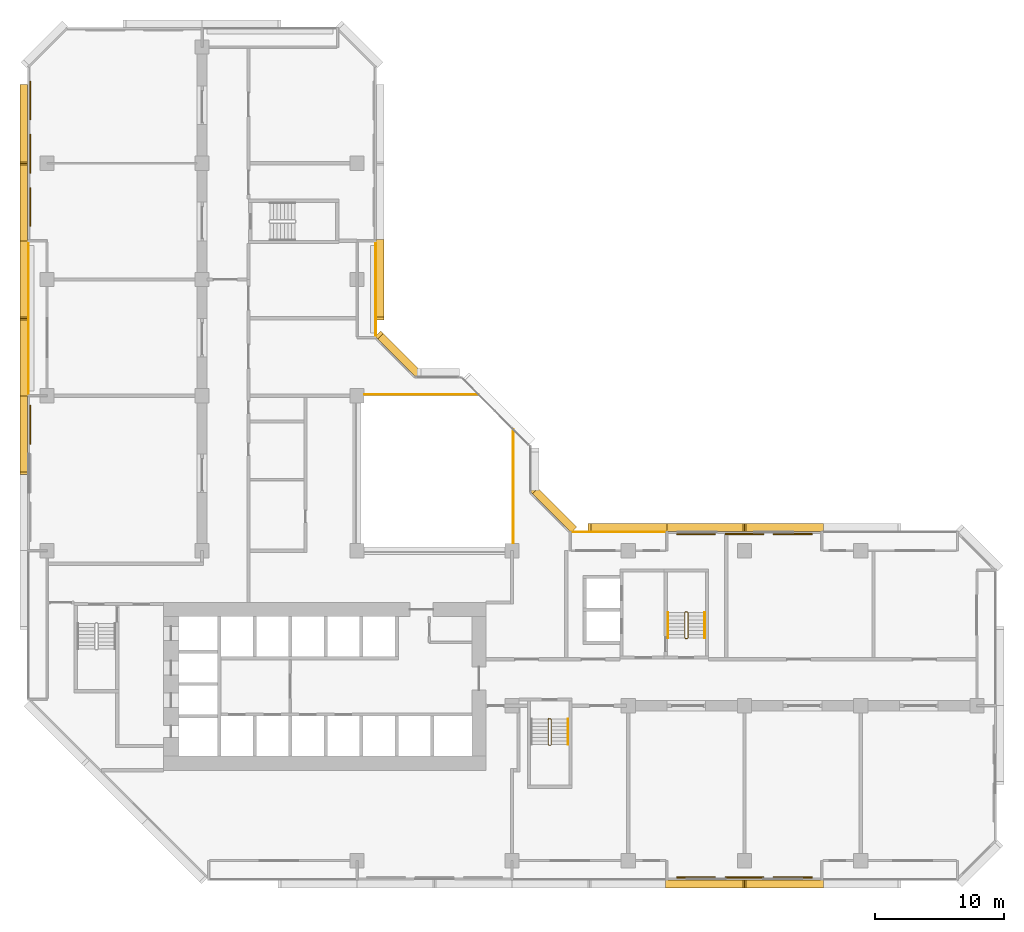
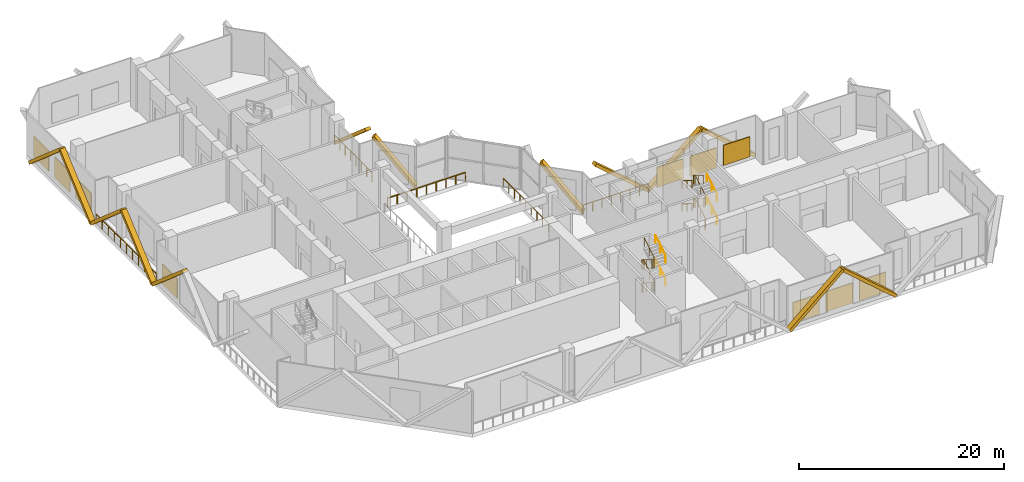
# One storey, part 13 of 14: 13 coverings, 13 railings, 10 shading devices.
"""IFC4 building model written with IfcOpenShell, lengths in metres."""

import ifcopenshell
import ifcopenshell.guid

model = None  # the IFC model being written
_history = None  # IfcOwnerHistory: only IFC2X3 demands one
_inside = {}  # id of a spatial element -> (the spatial element, [elements in it])
_under = {}  # id of a project, library or spatial element -> (it, [spatial elements below it])
_declared = {}  # id of a project -> (the project, [libraries it declares])
_typed = {}  # id of a type object -> (the type object, [elements of that type])
_made_of = {}  # id of a material, layer set ... -> (it, [elements and type objects made of it])


def new_model(schema):
    """Start an empty IFC model of exactly this schema.

    Asked for "IFC4X3", IfcOpenShell would pick the latest addendum, in which some entities
    have other attributes; the version numbers below select the first issue.
    IFC2X3 requires an IfcOwnerHistory on every rooted entity: one is made here for all.
    """
    global model, _history
    if schema == "IFC4X3":
        model = ifcopenshell.file(schema_version=(4, 3, 0, 0))
    else:
        model = ifcopenshell.file(schema=schema)
    _inside.clear()
    _under.clear()
    _declared.clear()
    _typed.clear()
    _made_of.clear()
    _history = None
    if model.schema == "IFC2X3":
        org = make("IfcOrganization", Name="unknown")
        user = make(
            "IfcPersonAndOrganization",
            ThePerson=make("IfcPerson", FamilyName="unknown"),
            TheOrganization=org,
        )
        app = make(
            "IfcApplication",
            ApplicationDeveloper=org,
            Version="unknown",
            ApplicationFullName="unknown",
            ApplicationIdentifier="unknown",
        )
        _history = make(
            "IfcOwnerHistory",
            OwningUser=user,
            OwningApplication=app,
            ChangeAction="ADDED",
            CreationDate=0,
        )
    return model


def make(cls, **values):
    """One entity of the class cls with the attributes given. An attribute that is None is left unset."""
    return model.create_entity(
        cls, **{name: value for name, value in values.items() if value is not None}
    )


def rooted(cls, **values):
    """An entity with a GlobalId (a new one), such as an element, a storey or a relation."""
    return make(cls, GlobalId=ifcopenshell.guid.new(), OwnerHistory=_history, **values)


def si_unit(unit_type, name, prefix=None):
    """IfcSIUnit, for example si_unit("LENGTHUNIT", "METRE", prefix="MILLI")."""
    return make("IfcSIUnit", UnitType=unit_type, Prefix=prefix, Name=name)


def assignment(units):
    """IfcUnitAssignment: the units of a project."""
    return None if units is None else make("IfcUnitAssignment", Units=units)


def point(xyz):
    """IfcCartesianPoint."""
    return None if xyz is None else make("IfcCartesianPoint", Coordinates=xyz)


def direction(xyz):
    """IfcDirection."""
    return None if xyz is None else make("IfcDirection", DirectionRatios=xyz)


def frame(location, z_axis=None, x_axis=None):
    """IfcAxis2Placement3D, a coordinate frame: its origin and axes. An axis left out is left unset."""
    return make(
        "IfcAxis2Placement3D",
        Location=point(location),
        Axis=direction(z_axis),
        RefDirection=direction(x_axis),
    )


def frame_2d(location, x_axis=None):
    """IfcAxis2Placement2D, a coordinate frame in the plane: its origin and x axis."""
    return make(
        "IfcAxis2Placement2D", Location=point(location), RefDirection=direction(x_axis)
    )


def origin():
    """The frame at (0, 0, 0) with its axes left unset."""
    return frame((0.0, 0.0, 0.0))


def origin_2d():
    """The frame at (0, 0) in the plane with its x axis left unset."""
    return frame_2d((0.0, 0.0))


def place(relative_to, where):
    """IfcLocalPlacement: puts the frame where relative to a parent placement (None: the world)."""
    return make(
        "IfcLocalPlacement", PlacementRelTo=relative_to, RelativePlacement=where
    )


def context(
    kind, dimensions, precision=None, world=None, true_north=None, identifier=None
):
    """IfcGeometricRepresentationContext, for example the 3D "Model" context."""
    return make(
        "IfcGeometricRepresentationContext",
        ContextIdentifier=identifier,
        ContextType=kind,
        CoordinateSpaceDimension=dimensions,
        Precision=precision,
        WorldCoordinateSystem=world,
        TrueNorth=true_north,
    )


def subcontext(parent, identifier, kind, view, scale=None):
    """IfcGeometricRepresentationSubContext, for example "Body" below "Model"."""
    return make(
        "IfcGeometricRepresentationSubContext",
        ContextIdentifier=identifier,
        ContextType=kind,
        ParentContext=parent,
        TargetScale=scale,
        TargetView=view,
    )


def project(units=None, contexts=None):
    """IfcProject with its units and contexts."""
    return rooted(
        "IfcProject",
        Name="project",
        RepresentationContexts=contexts,
        UnitsInContext=assignment(units),
    )


def spatial(cls, under=None, at=None, **own):
    """A site, building, storey or space (cls), placed at a placement, below another one or the project."""
    s = rooted(cls, ObjectPlacement=at, **own)
    if under is not None:
        _under.setdefault(under.id(), (under, []))[1].append(s)
    return s


def profile(cls, at=None, kind="AREA", **sizes):
    """A parametric profile (cls). Its sizes go by their IFC names, for example OverallWidth=200.0."""
    return make(cls, ProfileType=kind, Position=at, **sizes)


def rectangle(**sizes):
    """IfcRectangleProfileDef."""
    return profile("IfcRectangleProfileDef", **sizes)


def extrude(swept, where, along, depth):
    """IfcExtrudedAreaSolid: the profile swept, set in the frame where, extruded along a direction by depth."""
    return make(
        "IfcExtrudedAreaSolid",
        SweptArea=swept,
        Position=where,
        ExtrudedDirection=direction(along),
        Depth=depth,
    )


def shape(context_of_items, identifier, shape_type, items):
    """IfcShapeRepresentation: the items that make up one representation, for example the "Body"."""
    return make(
        "IfcShapeRepresentation",
        ContextOfItems=context_of_items,
        RepresentationIdentifier=identifier,
        RepresentationType=shape_type,
        Items=items,
    )


def material(Name=None, Category=None):
    """IfcMaterial."""
    return make("IfcMaterial", Name=Name, Category=Category)


def material_profile(
    of_material, cross_section, Name=None, Category=None, Priority=None
):
    """IfcMaterialProfile: a cross section and its material."""
    return make(
        "IfcMaterialProfile",
        Name=Name,
        Material=of_material,
        Profile=cross_section,
        Priority=Priority,
        Category=Category,
    )


def profile_set(profiles, Name=None, composite=None):
    """IfcMaterialProfileSet."""
    return make(
        "IfcMaterialProfileSet",
        Name=Name,
        MaterialProfiles=profiles,
        CompositeProfile=composite,
    )


def made_of(thing, what):
    """Note that an element or type object is made of a material, layer set ...; save() writes the relation."""
    if what is not None:
        _made_of.setdefault(what.id(), (what, []))[1].append(thing)
    return thing


def type_object(cls, material=None, **own):
    """A type object (cls), such as IfcWallType, which elements share."""
    return made_of(rooted(cls, **own), material)


def element(
    cls,
    number,
    at=None,
    inside=None,
    cuts=None,
    type_object=None,
    material=None,
    context=None,
    identifier="Body",
    shape_type=None,
    held_by="IfcProductDefinitionShape",
    body=None,
    shapes=None,
    **own,
):
    """One element of the class cls, such as IfcWall. Its Tag is "e" and its number.

    at: its placement. inside: the storey or other place that contains it. cuts: it is an
    opening in that element (IfcRelVoidsElement). A single representation is given by context,
    identifier, shape_type and body (its items); several are given by shapes. held_by: the class
    of the entity that holds the representations. save() writes the other relations.
    """
    e = rooted(cls, Tag="e%d" % number, ObjectPlacement=at, **own)
    if body is not None:
        shapes = [shape(context, identifier, shape_type, body)]
    if shapes is not None:
        e.Representation = make(held_by, Representations=shapes)
    if inside is not None:
        _inside.setdefault(inside.id(), (inside, []))[1].append(e)
    if cuts is not None:
        rooted(
            "IfcRelVoidsElement", RelatingBuildingElement=cuts, RelatedOpeningElement=e
        )
    if type_object is not None:
        _typed.setdefault(type_object.id(), (type_object, []))[1].append(e)
    return made_of(e, material)


def aggregate(whole, parts):
    """IfcRelAggregates: a whole, such as a stair, and the parts it consists of."""
    return rooted("IfcRelAggregates", RelatingObject=whole, RelatedObjects=parts)


def save(model, path):
    """Write the relations noted so far, then the file.

    IfcRelAggregates (storeys below a building ...), IfcRelContainedInSpatialStructure (elements
    in a storey), IfcRelDefinesByType, IfcRelAssociatesMaterial and IfcRelDeclares: one each for
    every whole, place, type object, material and project.
    """
    for whole, parts in _under.values():
        aggregate(whole, parts)
    for where, things in _inside.values():
        rooted(
            "IfcRelContainedInSpatialStructure",
            RelatedElements=things,
            RelatingStructure=where,
        )
    for kind, things in _typed.values():
        rooted("IfcRelDefinesByType", RelatedObjects=things, RelatingType=kind)
    for what, things in _made_of.values():
        rooted("IfcRelAssociatesMaterial", RelatedObjects=things, RelatingMaterial=what)
    for by, libraries in _declared.values():
        rooted("IfcRelDeclares", RelatingContext=by, RelatedDefinitions=libraries)
    model.write(path)


model = new_model("IFC4")

# Units and contexts
model_context = context("Model", 3, precision=1e-05, world=origin(), true_north=direction((0.0, 1.0)))
body_context = subcontext(model_context, "Body", "Model", "MODEL_VIEW")
ifc_project = project(units=[si_unit("LENGTHUNIT", "METRE"), si_unit("AREAUNIT", "SQUARE_METRE"), si_unit("VOLUMEUNIT", "CUBIC_METRE"), si_unit("PLANEANGLEUNIT", "RADIAN"), si_unit("MASSUNIT", "GRAM", prefix="KILO")], contexts=[model_context])

# Site, building, storey
site_placement = place(None, origin())
site = spatial("IfcSite", under=ifc_project, at=site_placement, CompositionType="ELEMENT")
building_placement = place(site_placement, origin())
building = spatial("IfcBuilding", under=site, at=building_placement, Name="Chenar Terraces", CompositionType="ELEMENT")
storey_placement = place(building_placement, frame((0.0, 0.0, 86.39990234375)))
storey = spatial("IfcBuildingStorey", under=building, at=storey_placement, Name="L19", CompositionType="ELEMENT", Elevation=86.39990234375)

# Railings
ifc_material_1 = material(Name="Powder-coated steel", Category="steel")
railing_type_1 = type_object("IfcRailingType", Name="Guard 1100 steel rail with glass infill", PredefinedType="GUARDRAIL", material=ifc_material_1)
railing_1_placement = place(storey_placement, frame((24.60009765625, 36.10009765625, 0.0)))
element("IfcRailing", 1, at=railing_1_placement, inside=storey, type_object=railing_type_1, Name="Guard L19-2", PredefinedType="GUARDRAIL", context=body_context, shape_type="SweptSolid", body=[
    extrude(rectangle(XDim=0.06005859375, YDim=0.06005859375, at=origin_2d()), frame((0.0, 0.0, 1.070068359375), z_axis=(1.0, 0.0, 0.0), x_axis=(0.0, 1.0, 0.0)), (0.0, 0.0, 1.0), 8.7998046875),
    extrude(rectangle(XDim=0.050048828125, YDim=0.050048828125, at=origin_2d()), origin(), (0.0, 0.0, 1.0), 1.0400390625),
    extrude(rectangle(XDim=0.050048828125, YDim=0.050048828125, at=origin_2d()), frame((1.10009765625, 0.0, 0.0)), (0.0, 0.0, 1.0), 1.0400390625),
    extrude(rectangle(XDim=0.050048828125, YDim=0.050048828125, at=origin_2d()), frame((2.199951171875, 0.0, 0.0)), (0.0, 0.0, 1.0), 1.0400390625),
    extrude(rectangle(XDim=0.050048828125, YDim=0.050048828125, at=origin_2d()), frame((3.2998046875, 0.0, 0.0)), (0.0, 0.0, 1.0), 1.0400390625),
    extrude(rectangle(XDim=0.050048828125, YDim=0.050048828125, at=origin_2d()), frame((4.39990234375, 0.0, 0.0)), (0.0, 0.0, 1.0), 1.0400390625),
    extrude(rectangle(XDim=0.050048828125, YDim=0.050048828125, at=origin_2d()), frame((5.5, 0.0, 0.0)), (0.0, 0.0, 1.0), 1.0400390625),
    extrude(rectangle(XDim=0.050048828125, YDim=0.050048828125, at=origin_2d()), frame((6.599853515625, 0.0, 0.0)), (0.0, 0.0, 1.0), 1.0400390625),
    extrude(rectangle(XDim=0.050048828125, YDim=0.050048828125, at=origin_2d()), frame((7.69970703125, 0.0, 0.0)), (0.0, 0.0, 1.0), 1.0400390625),
    extrude(rectangle(XDim=0.050048828125, YDim=0.050048828125, at=origin_2d()), frame((8.7998046875, 0.0, 0.0)), (0.0, 0.0, 1.0), 1.0400390625),
])
railing_2_placement = place(storey_placement, frame((36.10009765625, 24.60009765625, 0.0)))
element("IfcRailing", 2, at=railing_2_placement, inside=storey, type_object=railing_type_1, Name="Guard L19-3", PredefinedType="GUARDRAIL", context=body_context, shape_type="SweptSolid", body=[
    extrude(rectangle(XDim=0.06005859375, YDim=0.06005859375, at=origin_2d()), frame((0.0, 0.0, 1.070068359375), z_axis=(0.0, 1.0, 0.0), x_axis=(-1.0, 0.0, 0.0)), (0.0, 0.0, 1.0), 8.7998046875),
    extrude(rectangle(XDim=0.050048828125, YDim=0.050048828125, at=origin_2d()), origin(), (0.0, 0.0, 1.0), 1.0400390625),
    extrude(rectangle(XDim=0.050048828125, YDim=0.050048828125, at=origin_2d()), frame((0.0, 1.10009765625, 0.0)), (0.0, 0.0, 1.0), 1.0400390625),
    extrude(rectangle(XDim=0.050048828125, YDim=0.050048828125, at=origin_2d()), frame((0.0, 2.199951171875, 0.0)), (0.0, 0.0, 1.0), 1.0400390625),
    extrude(rectangle(XDim=0.050048828125, YDim=0.050048828125, at=origin_2d()), frame((0.0, 3.2998046875, 0.0)), (0.0, 0.0, 1.0), 1.0400390625),
    extrude(rectangle(XDim=0.050048828125, YDim=0.050048828125, at=origin_2d()), frame((0.0, 4.39990234375, 0.0)), (0.0, 0.0, 1.0), 1.0400390625),
    extrude(rectangle(XDim=0.050048828125, YDim=0.050048828125, at=origin_2d()), frame((0.0, 5.5, 0.0)), (0.0, 0.0, 1.0), 1.0400390625),
    extrude(rectangle(XDim=0.050048828125, YDim=0.050048828125, at=origin_2d()), frame((0.0, 6.599853515625, 0.0)), (0.0, 0.0, 1.0), 1.0400390625),
    extrude(rectangle(XDim=0.050048828125, YDim=0.050048828125, at=origin_2d()), frame((0.0, 7.69970703125, 0.0)), (0.0, 0.0, 1.0), 1.0400390625),
    extrude(rectangle(XDim=0.050048828125, YDim=0.050048828125, at=origin_2d()), frame((0.0, 8.7998046875, 0.0)), (0.0, 0.0, 1.0), 1.0400390625),
])
ifc_material_2 = material(Name="Stainless steel and glass", Category="steel")
railing_type_2 = type_object("IfcRailingType", Name="Loggia guard 1150", PredefinedType="GUARDRAIL", material=ifc_material_2)
railing_3_placement = place(storey_placement, frame((25.449951171875, 40.574951171875, 0.0)))
element("IfcRailing", 3, at=railing_3_placement, inside=storey, type_object=railing_type_2, Name="Loggia guard", PredefinedType="GUARDRAIL", context=body_context, shape_type="SweptSolid", body=[
    extrude(rectangle(XDim=0.048095703125, YDim=0.048095703125, at=origin_2d()), frame((0.0, 0.0, 1.1259765625), z_axis=(0.0, 1.0, 0.0), x_axis=(-1.0, 0.0, 0.0)), (0.0, 0.0, 1.0), 7.35009765625),
    extrude(rectangle(XDim=0.0419921875, YDim=0.0419921875, at=origin_2d()), origin(), (0.0, 0.0, 1.0), 1.101806640625),
    extrude(rectangle(XDim=0.0419921875, YDim=0.0419921875, at=origin_2d()), frame((0.0, 1.050048828125, 0.0)), (0.0, 0.0, 1.0), 1.101806640625),
    extrude(rectangle(XDim=0.0419921875, YDim=0.0419921875, at=origin_2d()), frame((0.0, 2.10009765625, 0.0)), (0.0, 0.0, 1.0), 1.101806640625),
    extrude(rectangle(XDim=0.0419921875, YDim=0.0419921875, at=origin_2d()), frame((0.0, 3.150146484375, 0.0)), (0.0, 0.0, 1.0), 1.101806640625),
    extrude(rectangle(XDim=0.0419921875, YDim=0.0419921875, at=origin_2d()), frame((0.0, 4.199951171875, 0.0)), (0.0, 0.0, 1.0), 1.101806640625),
    extrude(rectangle(XDim=0.0419921875, YDim=0.0419921875, at=origin_2d()), frame((0.0, 5.25, 0.0)), (0.0, 0.0, 1.0), 1.101806640625),
    extrude(rectangle(XDim=0.0419921875, YDim=0.0419921875, at=origin_2d()), frame((0.0, 6.300048828125, 0.0)), (0.0, 0.0, 1.0), 1.101806640625),
    extrude(rectangle(XDim=0.0419921875, YDim=0.0419921875, at=origin_2d()), frame((0.0, 7.35009765625, 0.0)), (0.0, 0.0, 1.0), 1.101806640625),
])
railing_4_placement = place(storey_placement, frame((47.925048828125, 25.449951171875, 0.0)))
element("IfcRailing", 4, at=railing_4_placement, inside=storey, type_object=railing_type_2, Name="Loggia guard", PredefinedType="GUARDRAIL", context=body_context, shape_type="SweptSolid", body=[
    extrude(rectangle(XDim=0.048095703125, YDim=0.048095703125, at=origin_2d()), frame((0.0, 0.0, 1.1259765625), z_axis=(-1.0, 0.0, 0.0), x_axis=(0.0, -1.0, 0.0)), (0.0, 0.0, 1.0), 7.35009765625),
    extrude(rectangle(XDim=0.0419921875, YDim=0.0419921875, at=origin_2d()), origin(), (0.0, 0.0, 1.0), 1.101806640625),
    extrude(rectangle(XDim=0.0419921875, YDim=0.0419921875, at=origin_2d()), frame((-1.050048828125, 0.0, 0.0)), (0.0, 0.0, 1.0), 1.101806640625),
    extrude(rectangle(XDim=0.0419921875, YDim=0.0419921875, at=origin_2d()), frame((-2.10009765625, 0.0, 0.0)), (0.0, 0.0, 1.0), 1.101806640625),
    extrude(rectangle(XDim=0.0419921875, YDim=0.0419921875, at=origin_2d()), frame((-3.150146484375, 0.0, 0.0)), (0.0, 0.0, 1.0), 1.101806640625),
    extrude(rectangle(XDim=0.0419921875, YDim=0.0419921875, at=origin_2d()), frame((-4.199951171875, 0.0, 0.0)), (0.0, 0.0, 1.0), 1.101806640625),
    extrude(rectangle(XDim=0.0419921875, YDim=0.0419921875, at=origin_2d()), frame((-5.25, 0.0, 0.0)), (0.0, 0.0, 1.0), 1.101806640625),
    extrude(rectangle(XDim=0.0419921875, YDim=0.0419921875, at=origin_2d()), frame((-6.300048828125, 0.0, 0.0)), (0.0, 0.0, 1.0), 1.101806640625),
    extrude(rectangle(XDim=0.0419921875, YDim=0.0419921875, at=origin_2d()), frame((-7.35009765625, 0.0, 0.0)), (0.0, 0.0, 1.0), 1.101806640625),
])
railing_5_placement = place(storey_placement, frame((-1.449951171875, 47.925048828125, 0.0)))
element("IfcRailing", 5, at=railing_5_placement, inside=storey, type_object=railing_type_2, Name="Loggia guard", PredefinedType="GUARDRAIL", context=body_context, shape_type="SweptSolid", body=[
    extrude(rectangle(XDim=0.048095703125, YDim=0.048095703125, at=origin_2d()), frame((0.0, 0.0, 1.1259765625), z_axis=(0.0, -1.0, 0.0), x_axis=(1.0, 0.0, 0.0)), (0.0, 0.0, 1.0), 11.85009765625),
    extrude(rectangle(XDim=0.0419921875, YDim=0.0419921875, at=origin_2d()), origin(), (0.0, 0.0, 1.0), 1.101806640625),
    extrude(rectangle(XDim=0.0419921875, YDim=0.0419921875, at=origin_2d()), frame((0.0, -1.18505859375, 0.0)), (0.0, 0.0, 1.0), 1.101806640625),
    extrude(rectangle(XDim=0.0419921875, YDim=0.0419921875, at=origin_2d()), frame((0.0, -2.3701171875, 0.0)), (0.0, 0.0, 1.0), 1.101806640625),
    extrude(rectangle(XDim=0.0419921875, YDim=0.0419921875, at=origin_2d()), frame((0.0, -3.554931640625, 0.0)), (0.0, 0.0, 1.0), 1.101806640625),
    extrude(rectangle(XDim=0.0419921875, YDim=0.0419921875, at=origin_2d()), frame((0.0, -4.739990234375, 0.0)), (0.0, 0.0, 1.0), 1.101806640625),
    extrude(rectangle(XDim=0.0419921875, YDim=0.0419921875, at=origin_2d()), frame((0.0, -5.925048828125, 0.0)), (0.0, 0.0, 1.0), 1.101806640625),
    extrude(rectangle(XDim=0.0419921875, YDim=0.0419921875, at=origin_2d()), frame((0.0, -7.110107421875, 0.0)), (0.0, 0.0, 1.0), 1.101806640625),
    extrude(rectangle(XDim=0.0419921875, YDim=0.0419921875, at=origin_2d()), frame((0.0, -8.295166015625, 0.0)), (0.0, 0.0, 1.0), 1.101806640625),
    extrude(rectangle(XDim=0.0419921875, YDim=0.0419921875, at=origin_2d()), frame((0.0, -9.47998046875, 0.0)), (0.0, 0.0, 1.0), 1.101806640625),
    extrude(rectangle(XDim=0.0419921875, YDim=0.0419921875, at=origin_2d()), frame((0.0, -10.6650390625, 0.0)), (0.0, 0.0, 1.0), 1.101806640625),
    extrude(rectangle(XDim=0.0419921875, YDim=0.0419921875, at=origin_2d()), frame((0.0, -11.85009765625, 0.0)), (0.0, 0.0, 1.0), 1.101806640625),
])

# Shading devices
ifc_material_3 = material(Name="Powder-coated steel", Category="steel")
shading_device_type = type_object("IfcShadingDeviceType", Name="Sand-proof louvre bank 3000 x 2400", PredefinedType="USERDEFINED", material=ifc_material_3)
for number, where, z_axis, x_axis, name in (
    (6, (57.75, 25.300048828125, 0.4501953125), (0.0, 0.0, 1.0), (-1.0, 0.0, 0.0), "Sand-proof louvre bank"),
    (7, (54.0, 25.300048828125, 0.4501953125), (0.0, 0.0, 1.0), (-1.0, 0.0, 0.0), "Sand-proof louvre bank"),
    (8, (50.25, 25.300048828125, 0.4501953125), (0.0, 0.0, 1.0), (-1.0, 0.0, 0.0), "Sand-proof louvre bank"),
    (9, (50.25, -1.300048828125, 0.4501953125), (0.0, 0.0, 1.0), (1.0, 0.0, 0.0), "Sand-proof louvre bank"),
    (10, (54.0, -1.300048828125, 0.4501953125), (0.0, 0.0, 1.0), (1.0, 0.0, 0.0), "Sand-proof louvre bank"),
    (11, (57.75, -1.300048828125, 0.4501953125), (0.0, 0.0, 1.0), (1.0, 0.0, 0.0), "Sand-proof louvre bank"),
    (12, (-1.300048828125, 58.875, 0.4501953125), (0.0, 0.0, 1.0), (0.0, -1.0, 0.0), "Sand-proof louvre bank"),
    (13, (-1.300048828125, 54.75, 0.4501953125), (0.0, 0.0, 1.0), (0.0, -1.0, 0.0), "Sand-proof louvre bank"),
    (14, (-1.300048828125, 50.625, 0.4501953125), (0.0, 0.0, 1.0), (0.0, -1.0, 0.0), "Sand-proof louvre bank"),
    (15, (-1.300048828125, 33.75, 0.4501953125), (0.0, 0.0, 1.0), (0.0, -1.0, 0.0), "Sand-proof louvre bank"),
):
    element("IfcShadingDevice", number, at=place(storey_placement, frame(where, z_axis=z_axis, x_axis=x_axis)), inside=storey, type_object=shading_device_type, Name=name, ObjectType="LOUVRE", PredefinedType="USERDEFINED", context=body_context, shape_type="SweptSolid", body=[
        extrude(rectangle(XDim=3.0, YDim=0.10009765625, at=origin_2d()), origin(), (0.0, 0.0, 1.0), 2.39990234375),
    ])

# Railings
ifc_material_4 = material(Name="Powder-coated steel", Category="steel")
railing_type_3 = type_object("IfcRailingType", Name="Stair guard 1100", PredefinedType="GUARDRAIL", material=ifc_material_4)
railing_6_placement = place(storey_placement, frame((39.050048828125, 10.949951171875, 5.5)))
element("IfcRailing", 16, at=railing_6_placement, inside=storey, type_object=railing_type_3, Name="L19 ST2 stair guard 1", PredefinedType="GUARDRAIL", context=body_context, shape_type="SweptSolid", body=[
    extrude(rectangle(XDim=0.048095703125, YDim=0.048095703125, at=origin_2d()), frame((0.0, 0.0, 1.076171875), z_axis=(0.0, -0.852240978134, -0.523149419562), x_axis=(1.0, 0.0, 0.0)), (0.0, 0.0, 1.0), 2.2998046875),
    extrude(rectangle(XDim=0.048095703125, YDim=0.048095703125, at=origin_2d()), frame((0.0, -1.9599609375, -0.126953125), z_axis=(-0.269255725606, -0.269255725606, -0.92466356501), x_axis=(0.707106781187, -0.707106781187, 0.0)), (0.0, 0.0, 1.0), 0.185791015625),
    extrude(rectangle(XDim=0.048095703125, YDim=0.048095703125, at=origin_2d()), frame((-0.050048828125, -2.010009765625, -0.298828125), z_axis=(-1.0, 0.0, 0.0), x_axis=(0.0, -1.0, 0.0)), (0.0, 0.0, 1.0), 0.14990234375),
    extrude(rectangle(XDim=0.048095703125, YDim=0.048095703125, at=origin_2d()), frame((-0.199951171875, -2.010009765625, -0.298828125), z_axis=(-0.707106781187, 0.707106781187, 0.0), x_axis=(-0.707106781187, -0.707106781187, 0.0)), (0.0, 0.0, 1.0), 0.07080078125),
    extrude(rectangle(XDim=0.048095703125, YDim=0.048095703125, at=origin_2d()), frame((-0.25, -1.9599609375, -0.298828125), z_axis=(0.0, 0.852240978134, -0.523149419562), x_axis=(-1.0, 0.0, 0.0)), (0.0, 0.0, 1.0), 2.2998046875),
    extrude(rectangle(XDim=0.048095703125, YDim=0.048095703125, at=origin_2d()), frame((-0.25, 0.0, -1.501953125), z_axis=(0.745037588186, 0.186486819998, -0.640423030626), x_axis=(-0.242814311512, 0.970072785993, 0.0)), (0.0, 0.0, 1.0), 0.268310546875),
    extrude(rectangle(XDim=0.048095703125, YDim=0.048095703125, at=origin_2d()), frame((-0.050048828125, 0.050048828125, -1.673828125), z_axis=(-1.0, 0.0, 0.0), x_axis=(0.0, -1.0, 0.0)), (0.0, 0.0, 1.0), 0.14990234375),
    extrude(rectangle(XDim=0.048095703125, YDim=0.048095703125, at=origin_2d()), frame((-0.199951171875, 0.050048828125, -1.673828125), z_axis=(0.970072785993, -0.242814311512, 0.0), x_axis=(0.242814311512, 0.970072785993, 0.0)), (0.0, 0.0, 1.0), 0.2060546875),
    extrude(rectangle(XDim=0.048095703125, YDim=0.048095703125, at=origin_2d()), frame((0.0, 0.0, -1.673828125), z_axis=(0.0, -0.852240978134, -0.523149419562), x_axis=(1.0, 0.0, 0.0)), (0.0, 0.0, 1.0), 2.2998046875),
    extrude(rectangle(XDim=0.048095703125, YDim=0.048095703125, at=origin_2d()), frame((0.0, -1.9599609375, -2.876953125), z_axis=(-0.269255725606, -0.269255725606, -0.92466356501), x_axis=(0.707106781187, -0.707106781187, 0.0)), (0.0, 0.0, 1.0), 0.185791015625),
    extrude(rectangle(XDim=0.048095703125, YDim=0.048095703125, at=origin_2d()), frame((-0.050048828125, -2.010009765625, -3.048828125), z_axis=(-1.0, 0.0, 0.0), x_axis=(0.0, -1.0, 0.0)), (0.0, 0.0, 1.0), 0.14990234375),
    extrude(rectangle(XDim=0.048095703125, YDim=0.048095703125, at=origin_2d()), frame((-0.199951171875, -2.010009765625, -3.048828125), z_axis=(-0.707106781187, 0.707106781187, 0.0), x_axis=(-0.707106781187, -0.707106781187, 0.0)), (0.0, 0.0, 1.0), 0.07080078125),
    extrude(rectangle(XDim=0.048095703125, YDim=0.048095703125, at=origin_2d()), frame((-0.25, -1.9599609375, -3.048828125), z_axis=(0.0, 0.852240978134, -0.523149419562), x_axis=(-1.0, 0.0, 0.0)), (0.0, 0.0, 1.0), 2.2998046875),
    extrude(rectangle(XDim=0.048095703125, YDim=0.048095703125, at=origin_2d()), frame((-0.25, 0.0, -4.251953125), z_axis=(0.269255725606, 0.269255725606, -0.92466356501), x_axis=(-0.707106781187, 0.707106781187, 0.0)), (0.0, 0.0, 1.0), 0.185791015625),
    extrude(rectangle(XDim=0.048095703125, YDim=0.048095703125, at=origin_2d()), frame((-0.199951171875, 0.050048828125, -4.423828125), z_axis=(1.0, 0.0, 0.0), x_axis=(0.0, 1.0, 0.0)), (0.0, 0.0, 1.0), 0.14990234375),
    extrude(rectangle(XDim=0.0419921875, YDim=0.0419921875, at=origin_2d()), origin(), (0.0, 0.0, 1.0), 1.052001953125),
    extrude(rectangle(XDim=0.0419921875, YDim=0.0419921875, at=origin_2d()), frame((0.0, -0.97998046875, -0.6015625)), (0.0, 0.0, 1.0), 1.052001953125),
    extrude(rectangle(XDim=0.0419921875, YDim=0.0419921875, at=origin_2d()), frame((0.0, -1.9599609375, -1.203125)), (0.0, 0.0, 1.0), 1.052001953125),
    extrude(rectangle(XDim=0.0419921875, YDim=0.0419921875, at=origin_2d()), frame((-0.050048828125, -2.010009765625, -1.375)), (0.0, 0.0, 1.0), 1.052001953125),
    extrude(rectangle(XDim=0.0419921875, YDim=0.0419921875, at=origin_2d()), frame((-0.199951171875, -2.010009765625, -1.375)), (0.0, 0.0, 1.0), 1.052001953125),
    extrude(rectangle(XDim=0.0419921875, YDim=0.0419921875, at=origin_2d()), frame((-0.25, -1.9599609375, -1.375)), (0.0, 0.0, 1.0), 1.052001953125),
    extrude(rectangle(XDim=0.0419921875, YDim=0.0419921875, at=origin_2d()), frame((-0.25, -0.97998046875, -1.9765625)), (0.0, 0.0, 1.0), 1.052001953125),
    extrude(rectangle(XDim=0.0419921875, YDim=0.0419921875, at=origin_2d()), frame((-0.25, 0.0, -2.578125)), (0.0, 0.0, 1.0), 1.052001953125),
    extrude(rectangle(XDim=0.0419921875, YDim=0.0419921875, at=origin_2d()), frame((-0.050048828125, 0.050048828125, -2.75)), (0.0, 0.0, 1.0), 1.052001953125),
    extrude(rectangle(XDim=0.0419921875, YDim=0.0419921875, at=origin_2d()), frame((-0.199951171875, 0.050048828125, -2.75)), (0.0, 0.0, 1.0), 1.052001953125),
    extrude(rectangle(XDim=0.0419921875, YDim=0.0419921875, at=origin_2d()), frame((0.0, 0.0, -2.75)), (0.0, 0.0, 1.0), 1.052001953125),
    extrude(rectangle(XDim=0.0419921875, YDim=0.0419921875, at=origin_2d()), frame((0.0, -0.97998046875, -3.3515625)), (0.0, 0.0, 1.0), 1.052001953125),
    extrude(rectangle(XDim=0.0419921875, YDim=0.0419921875, at=origin_2d()), frame((0.0, -1.9599609375, -3.953125)), (0.0, 0.0, 1.0), 1.052001953125),
    extrude(rectangle(XDim=0.0419921875, YDim=0.0419921875, at=origin_2d()), frame((-0.050048828125, -2.010009765625, -4.125)), (0.0, 0.0, 1.0), 1.052001953125),
    extrude(rectangle(XDim=0.0419921875, YDim=0.0419921875, at=origin_2d()), frame((-0.199951171875, -2.010009765625, -4.125)), (0.0, 0.0, 1.0), 1.052001953125),
    extrude(rectangle(XDim=0.0419921875, YDim=0.0419921875, at=origin_2d()), frame((-0.25, -1.9599609375, -4.125)), (0.0, 0.0, 1.0), 1.052001953125),
    extrude(rectangle(XDim=0.0419921875, YDim=0.0419921875, at=origin_2d()), frame((-0.25, -0.97998046875, -4.7265625)), (0.0, 0.0, 1.0), 1.052001953125),
    extrude(rectangle(XDim=0.0419921875, YDim=0.0419921875, at=origin_2d()), frame((-0.25, 0.0, -5.328125)), (0.0, 0.0, 1.0), 1.052001953125),
    extrude(rectangle(XDim=0.0419921875, YDim=0.0419921875, at=origin_2d()), frame((-0.199951171875, 0.050048828125, -5.5)), (0.0, 0.0, 1.0), 1.052001953125),
    extrude(rectangle(XDim=0.0419921875, YDim=0.0419921875, at=origin_2d()), frame((-0.050048828125, 0.050048828125, -5.5)), (0.0, 0.0, 1.0), 1.052001953125),
])
railing_7_placement = place(storey_placement, frame((49.375, 17.25, 5.5)))
element("IfcRailing", 17, at=railing_7_placement, inside=storey, type_object=railing_type_3, Name="L19 ST3 stair guard 1", PredefinedType="GUARDRAIL", context=body_context, shape_type="SweptSolid", body=[
    extrude(rectangle(XDim=0.048095703125, YDim=0.048095703125, at=origin_2d()), frame((0.0, 0.0, 1.076171875), z_axis=(0.0, 0.852240978134, -0.523149419562), x_axis=(-1.0, 0.0, 0.0)), (0.0, 0.0, 1.0), 2.2998046875),
    extrude(rectangle(XDim=0.048095703125, YDim=0.048095703125, at=origin_2d()), frame((0.0, 1.9599609375, -0.126953125), z_axis=(0.269255725606, 0.269255725606, -0.92466356501), x_axis=(-0.707106781187, 0.707106781187, 0.0)), (0.0, 0.0, 1.0), 0.185791015625),
    extrude(rectangle(XDim=0.048095703125, YDim=0.048095703125, at=origin_2d()), frame((0.050048828125, 2.010009765625, -0.298828125), z_axis=(1.0, 0.0, 0.0), x_axis=(0.0, 1.0, 0.0)), (0.0, 0.0, 1.0), 0.14990234375),
    extrude(rectangle(XDim=0.048095703125, YDim=0.048095703125, at=origin_2d()), frame((0.199951171875, 2.010009765625, -0.298828125), z_axis=(0.707106781187, -0.707106781187, 0.0), x_axis=(0.707106781187, 0.707106781187, 0.0)), (0.0, 0.0, 1.0), 0.07080078125),
    extrude(rectangle(XDim=0.048095703125, YDim=0.048095703125, at=origin_2d()), frame((0.25, 1.9599609375, -0.298828125), z_axis=(0.0, -0.852240978134, -0.523149419562), x_axis=(1.0, 0.0, 0.0)), (0.0, 0.0, 1.0), 2.2998046875),
    extrude(rectangle(XDim=0.048095703125, YDim=0.048095703125, at=origin_2d()), frame((0.25, 0.0, -1.501953125), z_axis=(-0.745037588186, -0.186486819998, -0.640423030626), x_axis=(0.242814311512, -0.970072785993, 0.0)), (0.0, 0.0, 1.0), 0.268310546875),
    extrude(rectangle(XDim=0.048095703125, YDim=0.048095703125, at=origin_2d()), frame((0.050048828125, -0.050048828125, -1.673828125), z_axis=(1.0, 0.0, 0.0), x_axis=(0.0, 1.0, 0.0)), (0.0, 0.0, 1.0), 0.14990234375),
    extrude(rectangle(XDim=0.048095703125, YDim=0.048095703125, at=origin_2d()), frame((0.199951171875, -0.050048828125, -1.673828125), z_axis=(-0.970072785993, 0.242814311512, 0.0), x_axis=(-0.242814311512, -0.970072785993, 0.0)), (0.0, 0.0, 1.0), 0.2060546875),
    extrude(rectangle(XDim=0.048095703125, YDim=0.048095703125, at=origin_2d()), frame((0.0, 0.0, -1.673828125), z_axis=(0.0, 0.852240978134, -0.523149419562), x_axis=(-1.0, 0.0, 0.0)), (0.0, 0.0, 1.0), 2.2998046875),
    extrude(rectangle(XDim=0.048095703125, YDim=0.048095703125, at=origin_2d()), frame((0.0, 1.9599609375, -2.876953125), z_axis=(0.269255725606, 0.269255725606, -0.92466356501), x_axis=(-0.707106781187, 0.707106781187, 0.0)), (0.0, 0.0, 1.0), 0.185791015625),
    extrude(rectangle(XDim=0.048095703125, YDim=0.048095703125, at=origin_2d()), frame((0.050048828125, 2.010009765625, -3.048828125), z_axis=(1.0, 0.0, 0.0), x_axis=(0.0, 1.0, 0.0)), (0.0, 0.0, 1.0), 0.14990234375),
    extrude(rectangle(XDim=0.048095703125, YDim=0.048095703125, at=origin_2d()), frame((0.199951171875, 2.010009765625, -3.048828125), z_axis=(0.707106781187, -0.707106781187, 0.0), x_axis=(0.707106781187, 0.707106781187, 0.0)), (0.0, 0.0, 1.0), 0.07080078125),
    extrude(rectangle(XDim=0.048095703125, YDim=0.048095703125, at=origin_2d()), frame((0.25, 1.9599609375, -3.048828125), z_axis=(0.0, -0.852240978134, -0.523149419562), x_axis=(1.0, 0.0, 0.0)), (0.0, 0.0, 1.0), 2.2998046875),
    extrude(rectangle(XDim=0.048095703125, YDim=0.048095703125, at=origin_2d()), frame((0.25, 0.0, -4.251953125), z_axis=(-0.269255725606, -0.269255725606, -0.92466356501), x_axis=(0.707106781187, -0.707106781187, 0.0)), (0.0, 0.0, 1.0), 0.185791015625),
    extrude(rectangle(XDim=0.048095703125, YDim=0.048095703125, at=origin_2d()), frame((0.199951171875, -0.050048828125, -4.423828125), z_axis=(-1.0, 0.0, 0.0), x_axis=(0.0, -1.0, 0.0)), (0.0, 0.0, 1.0), 0.14990234375),
    extrude(rectangle(XDim=0.0419921875, YDim=0.0419921875, at=origin_2d()), origin(), (0.0, 0.0, 1.0), 1.052001953125),
    extrude(rectangle(XDim=0.0419921875, YDim=0.0419921875, at=origin_2d()), frame((0.0, 0.97998046875, -0.6015625)), (0.0, 0.0, 1.0), 1.052001953125),
    extrude(rectangle(XDim=0.0419921875, YDim=0.0419921875, at=origin_2d()), frame((0.0, 1.9599609375, -1.203125)), (0.0, 0.0, 1.0), 1.052001953125),
    extrude(rectangle(XDim=0.0419921875, YDim=0.0419921875, at=origin_2d()), frame((0.050048828125, 2.010009765625, -1.375)), (0.0, 0.0, 1.0), 1.052001953125),
    extrude(rectangle(XDim=0.0419921875, YDim=0.0419921875, at=origin_2d()), frame((0.199951171875, 2.010009765625, -1.375)), (0.0, 0.0, 1.0), 1.052001953125),
    extrude(rectangle(XDim=0.0419921875, YDim=0.0419921875, at=origin_2d()), frame((0.25, 1.9599609375, -1.375)), (0.0, 0.0, 1.0), 1.052001953125),
    extrude(rectangle(XDim=0.0419921875, YDim=0.0419921875, at=origin_2d()), frame((0.25, 0.97998046875, -1.9765625)), (0.0, 0.0, 1.0), 1.052001953125),
    extrude(rectangle(XDim=0.0419921875, YDim=0.0419921875, at=origin_2d()), frame((0.25, 0.0, -2.578125)), (0.0, 0.0, 1.0), 1.052001953125),
    extrude(rectangle(XDim=0.0419921875, YDim=0.0419921875, at=origin_2d()), frame((0.050048828125, -0.050048828125, -2.75)), (0.0, 0.0, 1.0), 1.052001953125),
    extrude(rectangle(XDim=0.0419921875, YDim=0.0419921875, at=origin_2d()), frame((0.199951171875, -0.050048828125, -2.75)), (0.0, 0.0, 1.0), 1.052001953125),
    extrude(rectangle(XDim=0.0419921875, YDim=0.0419921875, at=origin_2d()), frame((0.0, 0.0, -2.75)), (0.0, 0.0, 1.0), 1.052001953125),
    extrude(rectangle(XDim=0.0419921875, YDim=0.0419921875, at=origin_2d()), frame((0.0, 0.97998046875, -3.3515625)), (0.0, 0.0, 1.0), 1.052001953125),
    extrude(rectangle(XDim=0.0419921875, YDim=0.0419921875, at=origin_2d()), frame((0.0, 1.9599609375, -3.953125)), (0.0, 0.0, 1.0), 1.052001953125),
    extrude(rectangle(XDim=0.0419921875, YDim=0.0419921875, at=origin_2d()), frame((0.050048828125, 2.010009765625, -4.125)), (0.0, 0.0, 1.0), 1.052001953125),
    extrude(rectangle(XDim=0.0419921875, YDim=0.0419921875, at=origin_2d()), frame((0.199951171875, 2.010009765625, -4.125)), (0.0, 0.0, 1.0), 1.052001953125),
    extrude(rectangle(XDim=0.0419921875, YDim=0.0419921875, at=origin_2d()), frame((0.25, 1.9599609375, -4.125)), (0.0, 0.0, 1.0), 1.052001953125),
    extrude(rectangle(XDim=0.0419921875, YDim=0.0419921875, at=origin_2d()), frame((0.25, 0.97998046875, -4.7265625)), (0.0, 0.0, 1.0), 1.052001953125),
    extrude(rectangle(XDim=0.0419921875, YDim=0.0419921875, at=origin_2d()), frame((0.25, 0.0, -5.328125)), (0.0, 0.0, 1.0), 1.052001953125),
    extrude(rectangle(XDim=0.0419921875, YDim=0.0419921875, at=origin_2d()), frame((0.199951171875, -0.050048828125, -5.5)), (0.0, 0.0, 1.0), 1.052001953125),
    extrude(rectangle(XDim=0.0419921875, YDim=0.0419921875, at=origin_2d()), frame((0.050048828125, -0.050048828125, -5.5)), (0.0, 0.0, 1.0), 1.052001953125),
])
ifc_material_5 = material(Name="Powder-coated steel", Category="steel")
railing_type_4 = type_object("IfcRailingType", Name="Stair handrail 900", PredefinedType="HANDRAIL", material=ifc_material_5)
for number, where, name in (
    (18, (40.35009765625, 8.989990234375, 1.546875), "L19 ST2 stair handrail 2"),
    (19, (40.35009765625, 8.989990234375, 4.296875), "L19 ST2 stair handrail 4"),
    (20, (50.925048828125, 17.25, 0.171875), "L19 ST3 stair handrail 1"),
):
    element("IfcRailing", number, at=place(storey_placement, frame(where)), inside=storey, type_object=railing_type_4, Name=name, PredefinedType="HANDRAIL", context=body_context, shape_type="SweptSolid", body=[
        extrude(rectangle(XDim=0.048095703125, YDim=0.048095703125, at=origin_2d()), frame((0.0, 0.0, 0.8759765625), z_axis=(0.0, 0.852240978134, 0.523149419562), x_axis=(-1.0, 0.0, 0.0)), (0.0, 0.0, 1.0), 2.2998046875),
        extrude(rectangle(XDim=0.0419921875, YDim=0.0419921875, at=origin_2d()), origin(), (0.0, 0.0, 1.0), 0.851806640625),
        extrude(rectangle(XDim=0.0419921875, YDim=0.0419921875, at=origin_2d()), frame((0.0, 0.97998046875, 0.6015625)), (0.0, 0.0, 1.0), 0.851806640625),
        extrude(rectangle(XDim=0.0419921875, YDim=0.0419921875, at=origin_2d()), frame((0.0, 1.9599609375, 1.203125)), (0.0, 0.0, 1.0), 0.851806640625),
    ])
railing_8_placement = place(storey_placement, frame((48.074951171875, 19.2099609375, 1.546875)))
element("IfcRailing", 21, at=railing_8_placement, inside=storey, type_object=railing_type_4, Name="L19 ST3 stair handrail 2", PredefinedType="HANDRAIL", context=body_context, shape_type="SweptSolid", body=[
    extrude(rectangle(XDim=0.048095703125, YDim=0.048095703125, at=origin_2d()), frame((0.0, 0.0, 0.8759765625), z_axis=(0.0, -0.852240978134, 0.523149419562), x_axis=(1.0, 0.0, 0.0)), (0.0, 0.0, 1.0), 2.2998046875),
    extrude(rectangle(XDim=0.0419921875, YDim=0.0419921875, at=origin_2d()), origin(), (0.0, 0.0, 1.0), 0.851806640625),
    extrude(rectangle(XDim=0.0419921875, YDim=0.0419921875, at=origin_2d()), frame((0.0, -0.97998046875, 0.6015625)), (0.0, 0.0, 1.0), 0.851806640625),
    extrude(rectangle(XDim=0.0419921875, YDim=0.0419921875, at=origin_2d()), frame((0.0, -1.9599609375, 1.203125)), (0.0, 0.0, 1.0), 0.851806640625),
])
railing_9_placement = place(storey_placement, frame((50.925048828125, 17.25, 2.921875)))
element("IfcRailing", 22, at=railing_9_placement, inside=storey, type_object=railing_type_4, Name="L19 ST3 stair handrail 3", PredefinedType="HANDRAIL", context=body_context, shape_type="SweptSolid", body=[
    extrude(rectangle(XDim=0.048095703125, YDim=0.048095703125, at=origin_2d()), frame((0.0, 0.0, 0.8759765625), z_axis=(0.0, 0.852240978134, 0.523149419562), x_axis=(-1.0, 0.0, 0.0)), (0.0, 0.0, 1.0), 2.2998046875),
    extrude(rectangle(XDim=0.0419921875, YDim=0.0419921875, at=origin_2d()), origin(), (0.0, 0.0, 1.0), 0.851806640625),
    extrude(rectangle(XDim=0.0419921875, YDim=0.0419921875, at=origin_2d()), frame((0.0, 0.97998046875, 0.6015625)), (0.0, 0.0, 1.0), 0.851806640625),
    extrude(rectangle(XDim=0.0419921875, YDim=0.0419921875, at=origin_2d()), frame((0.0, 1.9599609375, 1.203125)), (0.0, 0.0, 1.0), 0.851806640625),
])
railing_10_placement = place(storey_placement, frame((48.074951171875, 19.2099609375, 4.296875)))
element("IfcRailing", 23, at=railing_10_placement, inside=storey, type_object=railing_type_4, Name="L19 ST3 stair handrail 4", PredefinedType="HANDRAIL", context=body_context, shape_type="SweptSolid", body=[
    extrude(rectangle(XDim=0.048095703125, YDim=0.048095703125, at=origin_2d()), frame((0.0, 0.0, 0.8759765625), z_axis=(0.0, -0.852240978134, 0.523149419562), x_axis=(1.0, 0.0, 0.0)), (0.0, 0.0, 1.0), 2.2998046875),
    extrude(rectangle(XDim=0.0419921875, YDim=0.0419921875, at=origin_2d()), origin(), (0.0, 0.0, 1.0), 0.851806640625),
    extrude(rectangle(XDim=0.0419921875, YDim=0.0419921875, at=origin_2d()), frame((0.0, -0.97998046875, 0.6015625)), (0.0, 0.0, 1.0), 0.851806640625),
    extrude(rectangle(XDim=0.0419921875, YDim=0.0419921875, at=origin_2d()), frame((0.0, -1.9599609375, 1.203125)), (0.0, 0.0, 1.0), 0.851806640625),
])

# Coverings
ifc_material_6 = material(Name="Terracotta", Category="masonry")
ifc_material_profile = material_profile(ifc_material_6, rectangle(XDim=0.60009765625, YDim=0.35009765625, at=origin_2d()), Name="Terracotta baguette 600 x 350")
ifc_profile_set = profile_set([ifc_material_profile], Name="Terracotta")
covering_type = type_object("IfcCoveringType", Name="Terracotta baguette 600 x 350", PredefinedType="CLADDING", material=ifc_profile_set)
for number, where, z_axis, x_axis, name in (
    (24, (60.0, 25.800048828125, 0.150146484375), (-0.755692126483, 0.0, 0.654927026447), (0.0, -1.0, 0.0), "Terracotta baguette"),
    (25, (54.0, 25.800048828125, 5.35009765625), (-0.755692126483, 0.0, -0.654927026447), (0.0, -1.0, 0.0), "Terracotta baguette"),
    (26, (48.0, 25.800048828125, 0.150146484375), (-0.755692126483, 0.0, 0.654927026447), (0.0, -1.0, 0.0), "Terracotta baguette"),
):
    element("IfcCovering", number, at=place(storey_placement, frame(where, z_axis=z_axis, x_axis=x_axis)), inside=storey, type_object=covering_type, Name=name, PredefinedType="CLADDING", context=body_context, shape_type="SweptSolid", body=[
        extrude(rectangle(XDim=0.60009765625, YDim=0.35009765625, at=origin_2d()), origin(), (0.0, 0.0, 1.0), 7.939697265625),
    ])
for number, where, z_axis, x_axis, name in (
    (27, (40.712158203125, 25.712158203125, 0.150146484375), (-0.447017486301, 0.447017486301, 0.774823033913), (-0.707106781187, -0.707106781187, 0.0), "Terracotta baguette"),
    (28, (28.712158203125, 37.712158203125, 0.150146484375), (-0.447017486301, 0.447017486301, 0.774823033913), (-0.707106781187, -0.707106781187, 0.0), "Terracotta baguette"),
):
    element("IfcCovering", number, at=place(storey_placement, frame(where, z_axis=z_axis, x_axis=x_axis)), inside=storey, type_object=covering_type, Name=name, PredefinedType="CLADDING", context=body_context, shape_type="SweptSolid", body=[
        extrude(rectangle(XDim=0.60009765625, YDim=0.35009765625, at=origin_2d()), origin(), (0.0, 0.0, 1.0), 6.711181640625),
    ])
for number, where, z_axis, x_axis, name in (
    (29, (25.800048828125, 42.0, 5.35009765625), (0.0, 0.755692126483, -0.654927026447), (-1.0, 0.0, 0.0), "Terracotta baguette"),
    (30, (-1.800048828125, 60.0, 0.150146484375), (0.0, -0.755692126483, 0.654927026447), (1.0, 0.0, 0.0), "Terracotta baguette"),
    (31, (-1.800048828125, 54.0, 5.35009765625), (0.0, -0.755692126483, -0.654927026447), (1.0, 0.0, 0.0), "Terracotta baguette"),
    (32, (-1.800048828125, 48.0, 0.150146484375), (0.0, -0.755692126483, 0.654927026447), (1.0, 0.0, 0.0), "Terracotta baguette"),
    (33, (-1.800048828125, 42.0, 5.35009765625), (0.0, -0.755692126483, -0.654927026447), (1.0, 0.0, 0.0), "Terracotta baguette"),
    (34, (-1.800048828125, 36.0, 0.150146484375), (0.0, -0.755692126483, 0.654927026447), (1.0, 0.0, 0.0), "Terracotta baguette"),
    (35, (48.0, -1.800048828125, 0.150146484375), (0.755692126483, 0.0, 0.654927026447), (0.0, 1.0, 0.0), "Terracotta baguette"),
    (36, (54.0, -1.800048828125, 5.35009765625), (0.755692126483, 0.0, -0.654927026447), (0.0, 1.0, 0.0), "Terracotta baguette"),
):
    element("IfcCovering", number, at=place(storey_placement, frame(where, z_axis=z_axis, x_axis=x_axis)), inside=storey, type_object=covering_type, Name=name, PredefinedType="CLADDING", context=body_context, shape_type="SweptSolid", body=[
        extrude(rectangle(XDim=0.60009765625, YDim=0.35009765625, at=origin_2d()), origin(), (0.0, 0.0, 1.0), 7.939697265625),
    ])

save(model, "model.ifc")
